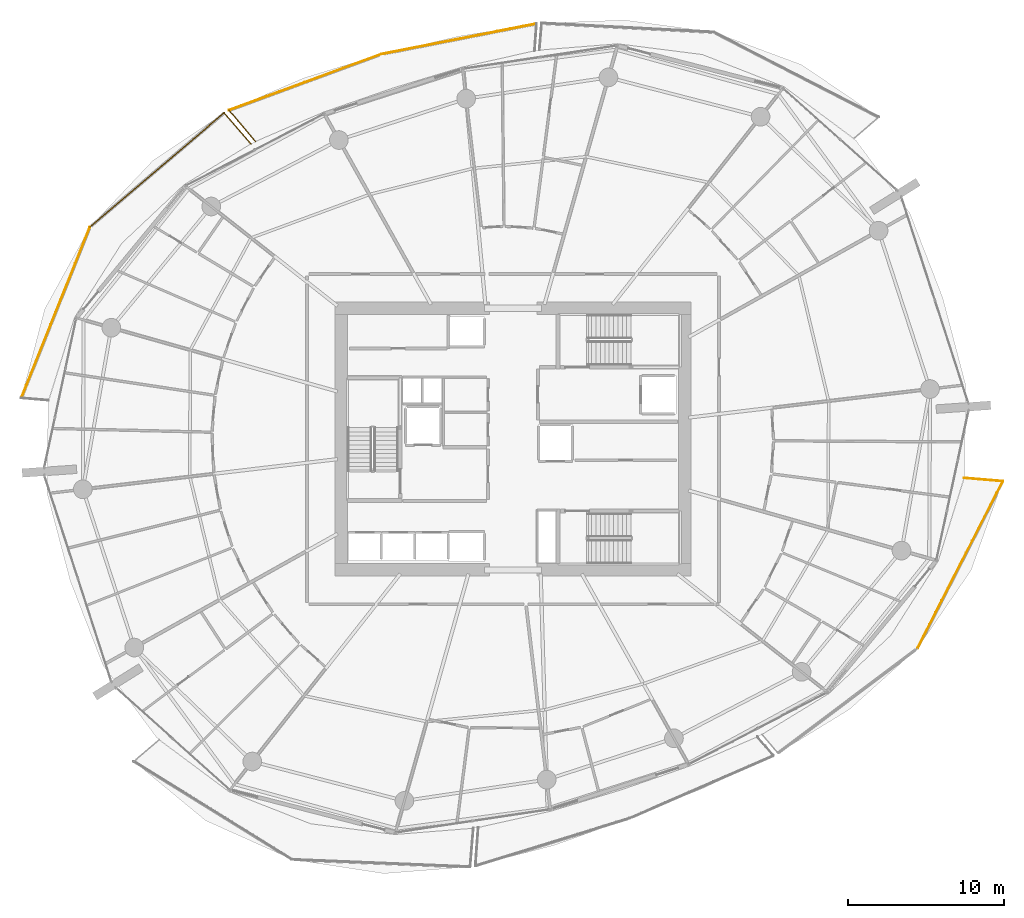
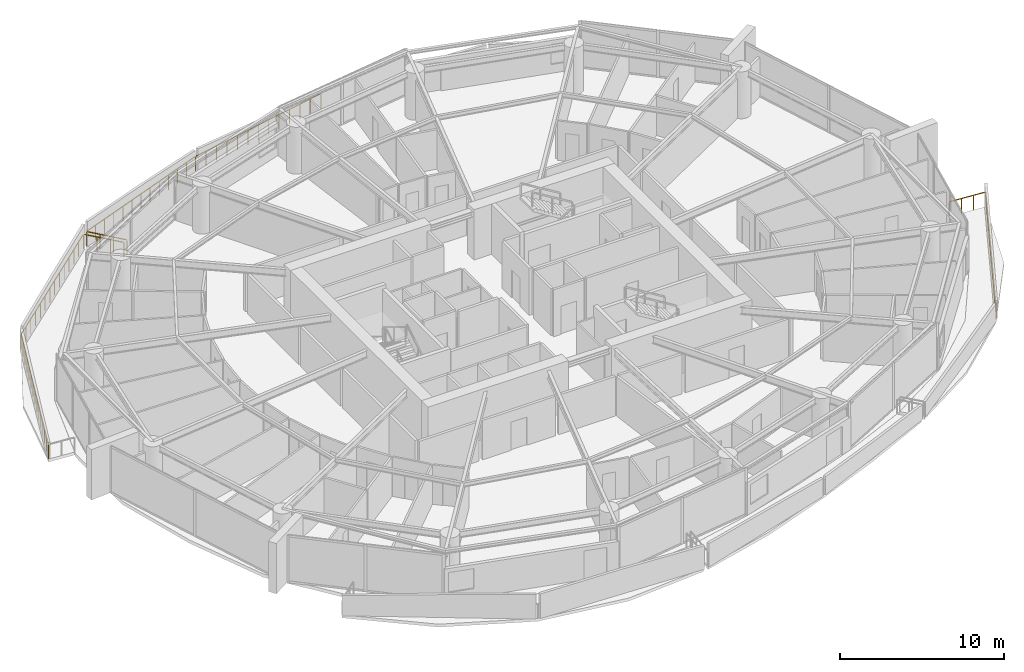
# One storey, part 21 of 23: 8 railings.
"""IFC4 building model written with IfcOpenShell, lengths in metres."""

import ifcopenshell
import ifcopenshell.guid

model = None  # the IFC model being written
_history = None  # IfcOwnerHistory: only IFC2X3 demands one
_inside = {}  # id of a spatial element -> (the spatial element, [elements in it])
_under = {}  # id of a project, library or spatial element -> (it, [spatial elements below it])
_declared = {}  # id of a project -> (the project, [libraries it declares])
_typed = {}  # id of a type object -> (the type object, [elements of that type])
_made_of = {}  # id of a material, layer set ... -> (it, [elements and type objects made of it])


def new_model(schema):
    """Start an empty IFC model of exactly this schema.

    Asked for "IFC4X3", IfcOpenShell would pick the latest addendum, in which some entities
    have other attributes; the version numbers below select the first issue.
    IFC2X3 requires an IfcOwnerHistory on every rooted entity: one is made here for all.
    """
    global model, _history
    if schema == "IFC4X3":
        model = ifcopenshell.file(schema_version=(4, 3, 0, 0))
    else:
        model = ifcopenshell.file(schema=schema)
    _inside.clear()
    _under.clear()
    _declared.clear()
    _typed.clear()
    _made_of.clear()
    _history = None
    if model.schema == "IFC2X3":
        org = make("IfcOrganization", Name="unknown")
        user = make(
            "IfcPersonAndOrganization",
            ThePerson=make("IfcPerson", FamilyName="unknown"),
            TheOrganization=org,
        )
        app = make(
            "IfcApplication",
            ApplicationDeveloper=org,
            Version="unknown",
            ApplicationFullName="unknown",
            ApplicationIdentifier="unknown",
        )
        _history = make(
            "IfcOwnerHistory",
            OwningUser=user,
            OwningApplication=app,
            ChangeAction="ADDED",
            CreationDate=0,
        )
    return model


def make(cls, **values):
    """One entity of the class cls with the attributes given. An attribute that is None is left unset."""
    return model.create_entity(
        cls, **{name: value for name, value in values.items() if value is not None}
    )


def rooted(cls, **values):
    """An entity with a GlobalId (a new one), such as an element, a storey or a relation."""
    return make(cls, GlobalId=ifcopenshell.guid.new(), OwnerHistory=_history, **values)


def si_unit(unit_type, name, prefix=None):
    """IfcSIUnit, for example si_unit("LENGTHUNIT", "METRE", prefix="MILLI")."""
    return make("IfcSIUnit", UnitType=unit_type, Prefix=prefix, Name=name)


def assignment(units):
    """IfcUnitAssignment: the units of a project."""
    return None if units is None else make("IfcUnitAssignment", Units=units)


def point(xyz):
    """IfcCartesianPoint."""
    return None if xyz is None else make("IfcCartesianPoint", Coordinates=xyz)


def direction(xyz):
    """IfcDirection."""
    return None if xyz is None else make("IfcDirection", DirectionRatios=xyz)


def frame(location, z_axis=None, x_axis=None):
    """IfcAxis2Placement3D, a coordinate frame: its origin and axes. An axis left out is left unset."""
    return make(
        "IfcAxis2Placement3D",
        Location=point(location),
        Axis=direction(z_axis),
        RefDirection=direction(x_axis),
    )


def frame_2d(location, x_axis=None):
    """IfcAxis2Placement2D, a coordinate frame in the plane: its origin and x axis."""
    return make(
        "IfcAxis2Placement2D", Location=point(location), RefDirection=direction(x_axis)
    )


def origin():
    """The frame at (0, 0, 0) with its axes left unset."""
    return frame((0.0, 0.0, 0.0))


def origin_2d():
    """The frame at (0, 0) in the plane with its x axis left unset."""
    return frame_2d((0.0, 0.0))


def place(relative_to, where):
    """IfcLocalPlacement: puts the frame where relative to a parent placement (None: the world)."""
    return make(
        "IfcLocalPlacement", PlacementRelTo=relative_to, RelativePlacement=where
    )


def context(
    kind, dimensions, precision=None, world=None, true_north=None, identifier=None
):
    """IfcGeometricRepresentationContext, for example the 3D "Model" context."""
    return make(
        "IfcGeometricRepresentationContext",
        ContextIdentifier=identifier,
        ContextType=kind,
        CoordinateSpaceDimension=dimensions,
        Precision=precision,
        WorldCoordinateSystem=world,
        TrueNorth=true_north,
    )


def subcontext(parent, identifier, kind, view, scale=None):
    """IfcGeometricRepresentationSubContext, for example "Body" below "Model"."""
    return make(
        "IfcGeometricRepresentationSubContext",
        ContextIdentifier=identifier,
        ContextType=kind,
        ParentContext=parent,
        TargetScale=scale,
        TargetView=view,
    )


def project(units=None, contexts=None):
    """IfcProject with its units and contexts."""
    return rooted(
        "IfcProject",
        Name="project",
        RepresentationContexts=contexts,
        UnitsInContext=assignment(units),
    )


def spatial(cls, under=None, at=None, **own):
    """A site, building, storey or space (cls), placed at a placement, below another one or the project."""
    s = rooted(cls, ObjectPlacement=at, **own)
    if under is not None:
        _under.setdefault(under.id(), (under, []))[1].append(s)
    return s


def profile(cls, at=None, kind="AREA", **sizes):
    """A parametric profile (cls). Its sizes go by their IFC names, for example OverallWidth=200.0."""
    return make(cls, ProfileType=kind, Position=at, **sizes)


def rectangle(**sizes):
    """IfcRectangleProfileDef."""
    return profile("IfcRectangleProfileDef", **sizes)


def extrude(swept, where, along, depth):
    """IfcExtrudedAreaSolid: the profile swept, set in the frame where, extruded along a direction by depth."""
    return make(
        "IfcExtrudedAreaSolid",
        SweptArea=swept,
        Position=where,
        ExtrudedDirection=direction(along),
        Depth=depth,
    )


def shape(context_of_items, identifier, shape_type, items):
    """IfcShapeRepresentation: the items that make up one representation, for example the "Body"."""
    return make(
        "IfcShapeRepresentation",
        ContextOfItems=context_of_items,
        RepresentationIdentifier=identifier,
        RepresentationType=shape_type,
        Items=items,
    )


def material(Name=None, Category=None):
    """IfcMaterial."""
    return make("IfcMaterial", Name=Name, Category=Category)


def made_of(thing, what):
    """Note that an element or type object is made of a material, layer set ...; save() writes the relation."""
    if what is not None:
        _made_of.setdefault(what.id(), (what, []))[1].append(thing)
    return thing


def type_object(cls, material=None, **own):
    """A type object (cls), such as IfcWallType, which elements share."""
    return made_of(rooted(cls, **own), material)


def element(
    cls,
    number,
    at=None,
    inside=None,
    cuts=None,
    type_object=None,
    material=None,
    context=None,
    identifier="Body",
    shape_type=None,
    held_by="IfcProductDefinitionShape",
    body=None,
    shapes=None,
    **own,
):
    """One element of the class cls, such as IfcWall. Its Tag is "e" and its number.

    at: its placement. inside: the storey or other place that contains it. cuts: it is an
    opening in that element (IfcRelVoidsElement). A single representation is given by context,
    identifier, shape_type and body (its items); several are given by shapes. held_by: the class
    of the entity that holds the representations. save() writes the other relations.
    """
    e = rooted(cls, Tag="e%d" % number, ObjectPlacement=at, **own)
    if body is not None:
        shapes = [shape(context, identifier, shape_type, body)]
    if shapes is not None:
        e.Representation = make(held_by, Representations=shapes)
    if inside is not None:
        _inside.setdefault(inside.id(), (inside, []))[1].append(e)
    if cuts is not None:
        rooted(
            "IfcRelVoidsElement", RelatingBuildingElement=cuts, RelatedOpeningElement=e
        )
    if type_object is not None:
        _typed.setdefault(type_object.id(), (type_object, []))[1].append(e)
    return made_of(e, material)


def aggregate(whole, parts):
    """IfcRelAggregates: a whole, such as a stair, and the parts it consists of."""
    return rooted("IfcRelAggregates", RelatingObject=whole, RelatedObjects=parts)


def save(model, path):
    """Write the relations noted so far, then the file.

    IfcRelAggregates (storeys below a building ...), IfcRelContainedInSpatialStructure (elements
    in a storey), IfcRelDefinesByType, IfcRelAssociatesMaterial and IfcRelDeclares: one each for
    every whole, place, type object, material and project.
    """
    for whole, parts in _under.values():
        aggregate(whole, parts)
    for where, things in _inside.values():
        rooted(
            "IfcRelContainedInSpatialStructure",
            RelatedElements=things,
            RelatingStructure=where,
        )
    for kind, things in _typed.values():
        rooted("IfcRelDefinesByType", RelatedObjects=things, RelatingType=kind)
    for what, things in _made_of.values():
        rooted("IfcRelAssociatesMaterial", RelatedObjects=things, RelatingMaterial=what)
    for by, libraries in _declared.values():
        rooted("IfcRelDeclares", RelatingContext=by, RelatedDefinitions=libraries)
    model.write(path)


model = new_model("IFC4")

# Units and contexts
model_context = context("Model", 3, precision=1e-05, world=origin(), true_north=direction((0.0, 1.0)))
body_context = subcontext(model_context, "Body", "Model", "MODEL_VIEW")
ifc_project = project(units=[si_unit("LENGTHUNIT", "METRE"), si_unit("AREAUNIT", "SQUARE_METRE"), si_unit("VOLUMEUNIT", "CUBIC_METRE"), si_unit("PLANEANGLEUNIT", "RADIAN"), si_unit("MASSUNIT", "GRAM", prefix="KILO")], contexts=[model_context])

# Site, building, storey
site_placement = place(None, origin())
site = spatial("IfcSite", under=ifc_project, at=site_placement, CompositionType="ELEMENT")
building_placement = place(site_placement, origin())
building = spatial("IfcBuilding", under=site, at=building_placement, Name="Kazma Halo Residences", CompositionType="ELEMENT")
storey_placement = place(building_placement, frame((0.0, 0.0, 82.64990234375)))
storey = spatial("IfcBuildingStorey", under=building, at=storey_placement, Name="L20", CompositionType="ELEMENT", Elevation=82.64990234375)

# Railings
ifc_material = material(Name="Aluminium AW-6063 T6 Brushed Cap Rail", Category="aluminium")
railing_type = type_object("IfcRailingType", Name="RLG-BAL-CAP-1120", PredefinedType="BALUSTRADE", material=ifc_material)
railing_1_placement = place(storey_placement, frame((49.936279296875, 68.685546875, 0.0)))
element("IfcRailing", 1, at=railing_1_placement, inside=storey, type_object=railing_type, Name="L20 NNW wave balcony guard 2", PredefinedType="BALUSTRADE", context=body_context, shape_type="SweptSolid", body=[
    extrude(rectangle(XDim=0.050048828125, YDim=0.050048828125, at=origin_2d()), frame((-0.041748046875, -0.00830078125, 1.09521484375), z_axis=(-0.981283048261, -0.192570971838, 0.0), x_axis=(0.192570971838, -0.981283048261, 0.0)), (0.0, 0.0, 1.0), 10.076416015625),
    extrude(rectangle(XDim=0.0400390625, YDim=0.0400390625, at=origin_2d()), origin(), (0.0, 0.0, 1.0), 1.05810546875),
    extrude(rectangle(XDim=0.0400390625, YDim=0.0400390625, at=origin_2d()), frame((-0.8310546875, -0.1630859375, 0.0)), (0.0, 0.0, 1.0), 1.05810546875),
    extrude(rectangle(XDim=0.0400390625, YDim=0.0400390625, at=origin_2d()), frame((-1.661865234375, -0.326171875, 0.0)), (0.0, 0.0, 1.0), 1.05810546875),
    extrude(rectangle(XDim=0.0400390625, YDim=0.0400390625, at=origin_2d()), frame((-2.49267578125, -0.4892578125, 0.0)), (0.0, 0.0, 1.0), 1.05810546875),
    extrude(rectangle(XDim=0.0400390625, YDim=0.0400390625, at=origin_2d()), frame((-3.32373046875, -0.65234375, 0.0)), (0.0, 0.0, 1.0), 1.05810546875),
    extrude(rectangle(XDim=0.0400390625, YDim=0.0400390625, at=origin_2d()), frame((-4.15478515625, -0.8154296875, 0.0)), (0.0, 0.0, 1.0), 1.05810546875),
    extrude(rectangle(XDim=0.0400390625, YDim=0.0400390625, at=origin_2d()), frame((-4.985595703125, -0.978515625, 0.0)), (0.0, 0.0, 1.0), 1.05810546875),
    extrude(rectangle(XDim=0.0400390625, YDim=0.0400390625, at=origin_2d()), frame((-5.81640625, -1.141357421875, 0.0)), (0.0, 0.0, 1.0), 1.05810546875),
    extrude(rectangle(XDim=0.0400390625, YDim=0.0400390625, at=origin_2d()), frame((-6.6474609375, -1.304443359375, 0.0)), (0.0, 0.0, 1.0), 1.05810546875),
    extrude(rectangle(XDim=0.0400390625, YDim=0.0400390625, at=origin_2d()), frame((-7.478515625, -1.467529296875, 0.0)), (0.0, 0.0, 1.0), 1.05810546875),
    extrude(rectangle(XDim=0.0400390625, YDim=0.0400390625, at=origin_2d()), frame((-8.309326171875, -1.630615234375, 0.0)), (0.0, 0.0, 1.0), 1.05810546875),
    extrude(rectangle(XDim=0.0400390625, YDim=0.0400390625, at=origin_2d()), frame((-9.14013671875, -1.793701171875, 0.0)), (0.0, 0.0, 1.0), 1.05810546875),
    extrude(rectangle(XDim=0.0400390625, YDim=0.0400390625, at=origin_2d()), frame((-9.97119140625, -1.956787109375, 0.0)), (0.0, 0.0, 1.0), 1.05810546875),
])
railing_2_placement = place(storey_placement, frame((39.965087890625, 66.728759765625, 0.0)))
element("IfcRailing", 2, at=railing_2_placement, inside=storey, type_object=railing_type, Name="L20 NNW wave balcony guard 3", PredefinedType="BALUSTRADE", context=body_context, shape_type="SweptSolid", body=[
    extrude(rectangle(XDim=0.050048828125, YDim=0.050048828125, at=origin_2d()), frame((-0.0400390625, -0.0146484375, 1.09521484375), z_axis=(-0.938355108391, -0.34567280853, 0.0), x_axis=(0.34567280853, -0.938355108391, 0.0)), (0.0, 0.0, 1.0), 10.34228515625),
    extrude(rectangle(XDim=0.0400390625, YDim=0.0400390625, at=origin_2d()), origin(), (0.0, 0.0, 1.0), 1.05810546875),
    extrude(rectangle(XDim=0.0400390625, YDim=0.0400390625, at=origin_2d()), frame((-0.8154296875, -0.30029296875, 0.0)), (0.0, 0.0, 1.0), 1.05810546875),
    extrude(rectangle(XDim=0.0400390625, YDim=0.0400390625, at=origin_2d()), frame((-1.630859375, -0.600830078125, 0.0)), (0.0, 0.0, 1.0), 1.05810546875),
    extrude(rectangle(XDim=0.0400390625, YDim=0.0400390625, at=origin_2d()), frame((-2.4462890625, -0.901123046875, 0.0)), (0.0, 0.0, 1.0), 1.05810546875),
    extrude(rectangle(XDim=0.0400390625, YDim=0.0400390625, at=origin_2d()), frame((-3.261474609375, -1.201416015625, 0.0)), (0.0, 0.0, 1.0), 1.05810546875),
    extrude(rectangle(XDim=0.0400390625, YDim=0.0400390625, at=origin_2d()), frame((-4.076904296875, -1.501953125, 0.0)), (0.0, 0.0, 1.0), 1.05810546875),
    extrude(rectangle(XDim=0.0400390625, YDim=0.0400390625, at=origin_2d()), frame((-4.892333984375, -1.80224609375, 0.0)), (0.0, 0.0, 1.0), 1.05810546875),
    extrude(rectangle(XDim=0.0400390625, YDim=0.0400390625, at=origin_2d()), frame((-5.707763671875, -2.1025390625, 0.0)), (0.0, 0.0, 1.0), 1.05810546875),
    extrude(rectangle(XDim=0.0400390625, YDim=0.0400390625, at=origin_2d()), frame((-6.523193359375, -2.403076171875, 0.0)), (0.0, 0.0, 1.0), 1.05810546875),
    extrude(rectangle(XDim=0.0400390625, YDim=0.0400390625, at=origin_2d()), frame((-7.33837890625, -2.703369140625, 0.0)), (0.0, 0.0, 1.0), 1.05810546875),
    extrude(rectangle(XDim=0.0400390625, YDim=0.0400390625, at=origin_2d()), frame((-8.15380859375, -3.003662109375, 0.0)), (0.0, 0.0, 1.0), 1.05810546875),
    extrude(rectangle(XDim=0.0400390625, YDim=0.0400390625, at=origin_2d()), frame((-8.96923828125, -3.30419921875, 0.0)), (0.0, 0.0, 1.0), 1.05810546875),
    extrude(rectangle(XDim=0.0400390625, YDim=0.0400390625, at=origin_2d()), frame((-9.78466796875, -3.6044921875, 0.0)), (0.0, 0.0, 1.0), 1.05810546875),
])
railing_3_placement = place(storey_placement, frame((30.180419921875, 63.124267578125, 0.0)))
element("IfcRailing", 3, at=railing_3_placement, inside=storey, type_object=railing_type, Name="L20 NNW wave balcony guard 4", PredefinedType="BALUSTRADE", context=body_context, shape_type="SweptSolid", body=[
    extrude(rectangle(XDim=0.050048828125, YDim=0.050048828125, at=origin_2d()), frame((0.02734375, -0.032470703125, 1.09521484375), z_axis=(0.644719824493, -0.76441896098, 0.0), x_axis=(0.76441896098, 0.644719824493, 0.0)), (0.0, 0.0, 1.0), 2.539794921875),
    extrude(rectangle(XDim=0.0400390625, YDim=0.0400390625, at=origin_2d()), origin(), (0.0, 0.0, 1.0), 1.05810546875),
    extrude(rectangle(XDim=0.0400390625, YDim=0.0400390625, at=origin_2d()), frame((0.564208984375, -0.6689453125, 0.0)), (0.0, 0.0, 1.0), 1.05810546875),
    extrude(rectangle(XDim=0.0400390625, YDim=0.0400390625, at=origin_2d()), frame((1.128173828125, -1.337646484375, 0.0)), (0.0, 0.0, 1.0), 1.05810546875),
    extrude(rectangle(XDim=0.0400390625, YDim=0.0400390625, at=origin_2d()), frame((1.6923828125, -2.006591796875, 0.0)), (0.0, 0.0, 1.0), 1.05810546875),
])
railing_4_placement = place(storey_placement, frame((31.59423828125, 60.972900390625, 0.0)))
element("IfcRailing", 4, at=railing_4_placement, inside=storey, type_object=railing_type, Name="L20 NW wave balcony guard 1", PredefinedType="BALUSTRADE", context=body_context, shape_type="SweptSolid", body=[
    extrude(rectangle(XDim=0.050048828125, YDim=0.050048828125, at=origin_2d()), frame((-0.02783203125, 0.0322265625, 1.09521484375), z_axis=(-0.65409594454, 0.756411591223, 0.0), x_axis=(-0.756411591223, -0.65409594454, 0.0)), (0.0, 0.0, 1.0), 2.54443359375),
    extrude(rectangle(XDim=0.0400390625, YDim=0.0400390625, at=origin_2d()), origin(), (0.0, 0.0, 1.0), 1.05810546875),
    extrude(rectangle(XDim=0.0400390625, YDim=0.0400390625, at=origin_2d()), frame((-0.5732421875, 0.6630859375, 0.0)), (0.0, 0.0, 1.0), 1.05810546875),
    extrude(rectangle(XDim=0.0400390625, YDim=0.0400390625, at=origin_2d()), frame((-1.146728515625, 1.325927734375, 0.0)), (0.0, 0.0, 1.0), 1.05810546875),
    extrude(rectangle(XDim=0.0400390625, YDim=0.0400390625, at=origin_2d()), frame((-1.719970703125, 1.989013671875, 0.0)), (0.0, 0.0, 1.0), 1.05810546875),
])
railing_5_placement = place(storey_placement, frame((29.874267578125, 62.9619140625, 0.0)))
element("IfcRailing", 5, at=railing_5_placement, inside=storey, type_object=railing_type, Name="L20 NW wave balcony guard 2", PredefinedType="BALUSTRADE", context=body_context, shape_type="SweptSolid", body=[
    extrude(rectangle(XDim=0.050048828125, YDim=0.050048828125, at=origin_2d()), frame((-0.032470703125, -0.027587890625, 1.09521484375), z_axis=(-0.761849375579, -0.647754219539, 0.0), x_axis=(0.647754219539, -0.761849375579, 0.0)), (0.0, 0.0, 1.0), 11.234375),
    extrude(rectangle(XDim=0.0400390625, YDim=0.0400390625, at=origin_2d()), origin(), (0.0, 0.0, 1.0), 1.05810546875),
    extrude(rectangle(XDim=0.0400390625, YDim=0.0400390625, at=origin_2d()), frame((-0.663330078125, -0.56396484375, 0.0)), (0.0, 0.0, 1.0), 1.05810546875),
    extrude(rectangle(XDim=0.0400390625, YDim=0.0400390625, at=origin_2d()), frame((-1.32666015625, -1.1279296875, 0.0)), (0.0, 0.0, 1.0), 1.05810546875),
    extrude(rectangle(XDim=0.0400390625, YDim=0.0400390625, at=origin_2d()), frame((-1.989990234375, -1.692138671875, 0.0)), (0.0, 0.0, 1.0), 1.05810546875),
    extrude(rectangle(XDim=0.0400390625, YDim=0.0400390625, at=origin_2d()), frame((-2.653564453125, -2.256103515625, 0.0)), (0.0, 0.0, 1.0), 1.05810546875),
    extrude(rectangle(XDim=0.0400390625, YDim=0.0400390625, at=origin_2d()), frame((-3.31689453125, -2.820068359375, 0.0)), (0.0, 0.0, 1.0), 1.05810546875),
    extrude(rectangle(XDim=0.0400390625, YDim=0.0400390625, at=origin_2d()), frame((-3.980224609375, -3.384033203125, 0.0)), (0.0, 0.0, 1.0), 1.05810546875),
    extrude(rectangle(XDim=0.0400390625, YDim=0.0400390625, at=origin_2d()), frame((-4.6435546875, -3.9482421875, 0.0)), (0.0, 0.0, 1.0), 1.05810546875),
    extrude(rectangle(XDim=0.0400390625, YDim=0.0400390625, at=origin_2d()), frame((-5.306884765625, -4.51220703125, 0.0)), (0.0, 0.0, 1.0), 1.05810546875),
    extrude(rectangle(XDim=0.0400390625, YDim=0.0400390625, at=origin_2d()), frame((-5.97021484375, -5.076171875, 0.0)), (0.0, 0.0, 1.0), 1.05810546875),
    extrude(rectangle(XDim=0.0400390625, YDim=0.0400390625, at=origin_2d()), frame((-6.6337890625, -5.64013671875, 0.0)), (0.0, 0.0, 1.0), 1.05810546875),
    extrude(rectangle(XDim=0.0400390625, YDim=0.0400390625, at=origin_2d()), frame((-7.297119140625, -6.204345703125, 0.0)), (0.0, 0.0, 1.0), 1.05810546875),
    extrude(rectangle(XDim=0.0400390625, YDim=0.0400390625, at=origin_2d()), frame((-7.96044921875, -6.768310546875, 0.0)), (0.0, 0.0, 1.0), 1.05810546875),
    extrude(rectangle(XDim=0.0400390625, YDim=0.0400390625, at=origin_2d()), frame((-8.623779296875, -7.332275390625, 0.0)), (0.0, 0.0, 1.0), 1.05810546875),
])
railing_6_placement = place(storey_placement, frame((21.25048828125, 55.629638671875, 0.0)))
element("IfcRailing", 6, at=railing_6_placement, inside=storey, type_object=railing_type, Name="L20 NW wave balcony guard 3", PredefinedType="BALUSTRADE", context=body_context, shape_type="SweptSolid", body=[
    extrude(rectangle(XDim=0.050048828125, YDim=0.050048828125, at=origin_2d()), frame((-0.015869140625, -0.03955078125, 1.09521484375), z_axis=(-0.37254246046, -0.928015148128, 0.0), x_axis=(0.928015148128, -0.37254246046, 0.0)), (0.0, 0.0, 1.0), 11.7529296875),
    extrude(rectangle(XDim=0.0400390625, YDim=0.0400390625, at=origin_2d()), origin(), (0.0, 0.0, 1.0), 1.05810546875),
    extrude(rectangle(XDim=0.0400390625, YDim=0.0400390625, at=origin_2d()), frame((-0.31494140625, -0.78466796875, 0.0)), (0.0, 0.0, 1.0), 1.05810546875),
    extrude(rectangle(XDim=0.0400390625, YDim=0.0400390625, at=origin_2d()), frame((-0.630126953125, -1.5693359375, 0.0)), (0.0, 0.0, 1.0), 1.05810546875),
    extrude(rectangle(XDim=0.0400390625, YDim=0.0400390625, at=origin_2d()), frame((-0.945068359375, -2.35400390625, 0.0)), (0.0, 0.0, 1.0), 1.05810546875),
    extrude(rectangle(XDim=0.0400390625, YDim=0.0400390625, at=origin_2d()), frame((-1.260009765625, -3.138916015625, 0.0)), (0.0, 0.0, 1.0), 1.05810546875),
    extrude(rectangle(XDim=0.0400390625, YDim=0.0400390625, at=origin_2d()), frame((-1.574951171875, -3.923583984375, 0.0)), (0.0, 0.0, 1.0), 1.05810546875),
    extrude(rectangle(XDim=0.0400390625, YDim=0.0400390625, at=origin_2d()), frame((-1.89013671875, -4.708251953125, 0.0)), (0.0, 0.0, 1.0), 1.05810546875),
    extrude(rectangle(XDim=0.0400390625, YDim=0.0400390625, at=origin_2d()), frame((-2.205078125, -5.492919921875, 0.0)), (0.0, 0.0, 1.0), 1.05810546875),
    extrude(rectangle(XDim=0.0400390625, YDim=0.0400390625, at=origin_2d()), frame((-2.52001953125, -6.277587890625, 0.0)), (0.0, 0.0, 1.0), 1.05810546875),
    extrude(rectangle(XDim=0.0400390625, YDim=0.0400390625, at=origin_2d()), frame((-2.835205078125, -7.062255859375, 0.0)), (0.0, 0.0, 1.0), 1.05810546875),
    extrude(rectangle(XDim=0.0400390625, YDim=0.0400390625, at=origin_2d()), frame((-3.150146484375, -7.846923828125, 0.0)), (0.0, 0.0, 1.0), 1.05810546875),
    extrude(rectangle(XDim=0.0400390625, YDim=0.0400390625, at=origin_2d()), frame((-3.465087890625, -8.6318359375, 0.0)), (0.0, 0.0, 1.0), 1.05810546875),
    extrude(rectangle(XDim=0.0400390625, YDim=0.0400390625, at=origin_2d()), frame((-3.780029296875, -9.41650390625, 0.0)), (0.0, 0.0, 1.0), 1.05810546875),
    extrude(rectangle(XDim=0.0400390625, YDim=0.0400390625, at=origin_2d()), frame((-4.09521484375, -10.201171875, 0.0)), (0.0, 0.0, 1.0), 1.05810546875),
    extrude(rectangle(XDim=0.0400390625, YDim=0.0400390625, at=origin_2d()), frame((-4.41015625, -10.98583984375, 0.0)), (0.0, 0.0, 1.0), 1.05810546875),
])
railing_7_placement = place(storey_placement, frame((74.39501953125, 28.551025390625, 0.0)))
element("IfcRailing", 7, at=railing_7_placement, inside=storey, type_object=railing_type, Name="L20 SE wave balcony guard 3", PredefinedType="BALUSTRADE", context=body_context, shape_type="SweptSolid", body=[
    extrude(rectangle(XDim=0.050048828125, YDim=0.050048828125, at=origin_2d()), frame((0.019287109375, 0.037841796875, 1.09521484375), z_axis=(0.454622078646, 0.890684436603, 0.0), x_axis=(-0.890684436603, 0.454622078646, 0.0)), (0.0, 0.0, 1.0), 11.9775390625),
    extrude(rectangle(XDim=0.0400390625, YDim=0.0400390625, at=origin_2d()), origin(), (0.0, 0.0, 1.0), 1.05810546875),
    extrude(rectangle(XDim=0.0400390625, YDim=0.0400390625, at=origin_2d()), frame((0.3916015625, 0.767333984375, 0.0)), (0.0, 0.0, 1.0), 1.05810546875),
    extrude(rectangle(XDim=0.0400390625, YDim=0.0400390625, at=origin_2d()), frame((0.783447265625, 1.534912109375, 0.0)), (0.0, 0.0, 1.0), 1.05810546875),
    extrude(rectangle(XDim=0.0400390625, YDim=0.0400390625, at=origin_2d()), frame((1.175048828125, 2.30224609375, 0.0)), (0.0, 0.0, 1.0), 1.05810546875),
    extrude(rectangle(XDim=0.0400390625, YDim=0.0400390625, at=origin_2d()), frame((1.56689453125, 3.069580078125, 0.0)), (0.0, 0.0, 1.0), 1.05810546875),
    extrude(rectangle(XDim=0.0400390625, YDim=0.0400390625, at=origin_2d()), frame((1.95849609375, 3.837158203125, 0.0)), (0.0, 0.0, 1.0), 1.05810546875),
    extrude(rectangle(XDim=0.0400390625, YDim=0.0400390625, at=origin_2d()), frame((2.350341796875, 4.6044921875, 0.0)), (0.0, 0.0, 1.0), 1.05810546875),
    extrude(rectangle(XDim=0.0400390625, YDim=0.0400390625, at=origin_2d()), frame((2.741943359375, 5.3720703125, 0.0)), (0.0, 0.0, 1.0), 1.05810546875),
    extrude(rectangle(XDim=0.0400390625, YDim=0.0400390625, at=origin_2d()), frame((3.133544921875, 6.139404296875, 0.0)), (0.0, 0.0, 1.0), 1.05810546875),
    extrude(rectangle(XDim=0.0400390625, YDim=0.0400390625, at=origin_2d()), frame((3.525390625, 6.90673828125, 0.0)), (0.0, 0.0, 1.0), 1.05810546875),
    extrude(rectangle(XDim=0.0400390625, YDim=0.0400390625, at=origin_2d()), frame((3.9169921875, 7.67431640625, 0.0)), (0.0, 0.0, 1.0), 1.05810546875),
    extrude(rectangle(XDim=0.0400390625, YDim=0.0400390625, at=origin_2d()), frame((4.308837890625, 8.441650390625, 0.0)), (0.0, 0.0, 1.0), 1.05810546875),
    extrude(rectangle(XDim=0.0400390625, YDim=0.0400390625, at=origin_2d()), frame((4.700439453125, 9.208984375, 0.0)), (0.0, 0.0, 1.0), 1.05810546875),
    extrude(rectangle(XDim=0.0400390625, YDim=0.0400390625, at=origin_2d()), frame((5.09228515625, 9.9765625, 0.0)), (0.0, 0.0, 1.0), 1.05810546875),
    extrude(rectangle(XDim=0.0400390625, YDim=0.0400390625, at=origin_2d()), frame((5.48388671875, 10.743896484375, 0.0)), (0.0, 0.0, 1.0), 1.05810546875),
])
railing_8_placement = place(storey_placement, frame((79.87890625, 39.294921875, 0.0)))
element("IfcRailing", 8, at=railing_8_placement, inside=storey, type_object=railing_type, Name="L20 SE wave balcony guard 4", PredefinedType="BALUSTRADE", context=body_context, shape_type="SweptSolid", body=[
    extrude(rectangle(XDim=0.050048828125, YDim=0.050048828125, at=origin_2d()), frame((-0.04248046875, 0.003662109375, 1.09521484375), z_axis=(-0.996412851629, 0.084625227375, 0.0), x_axis=(-0.084625227375, -0.996412851629, 0.0)), (0.0, 0.0, 1.0), 2.39599609375),
    extrude(rectangle(XDim=0.0400390625, YDim=0.0400390625, at=origin_2d()), origin(), (0.0, 0.0, 1.0), 1.05810546875),
    extrude(rectangle(XDim=0.0400390625, YDim=0.0400390625, at=origin_2d()), frame((-0.823974609375, 0.070068359375, 0.0)), (0.0, 0.0, 1.0), 1.05810546875),
    extrude(rectangle(XDim=0.0400390625, YDim=0.0400390625, at=origin_2d()), frame((-1.648193359375, 0.139892578125, 0.0)), (0.0, 0.0, 1.0), 1.05810546875),
    extrude(rectangle(XDim=0.0400390625, YDim=0.0400390625, at=origin_2d()), frame((-2.47216796875, 0.2099609375, 0.0)), (0.0, 0.0, 1.0), 1.05810546875),
])

save(model, "model.ifc")
